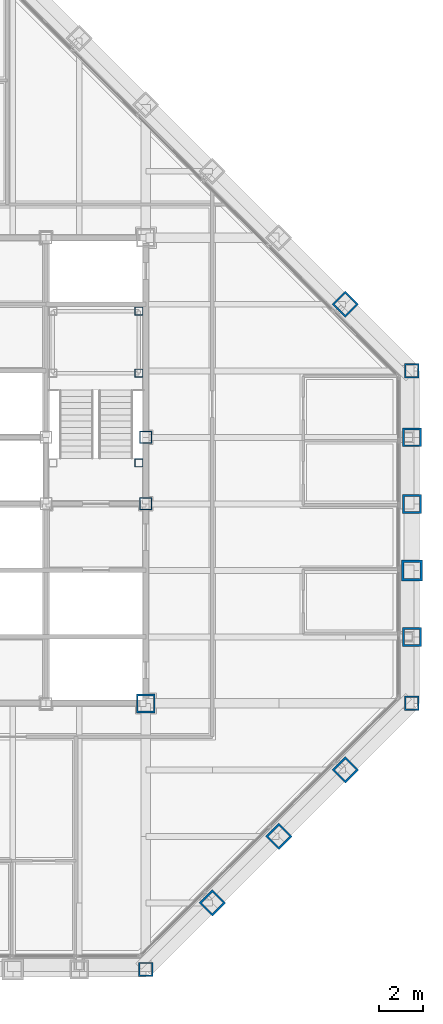
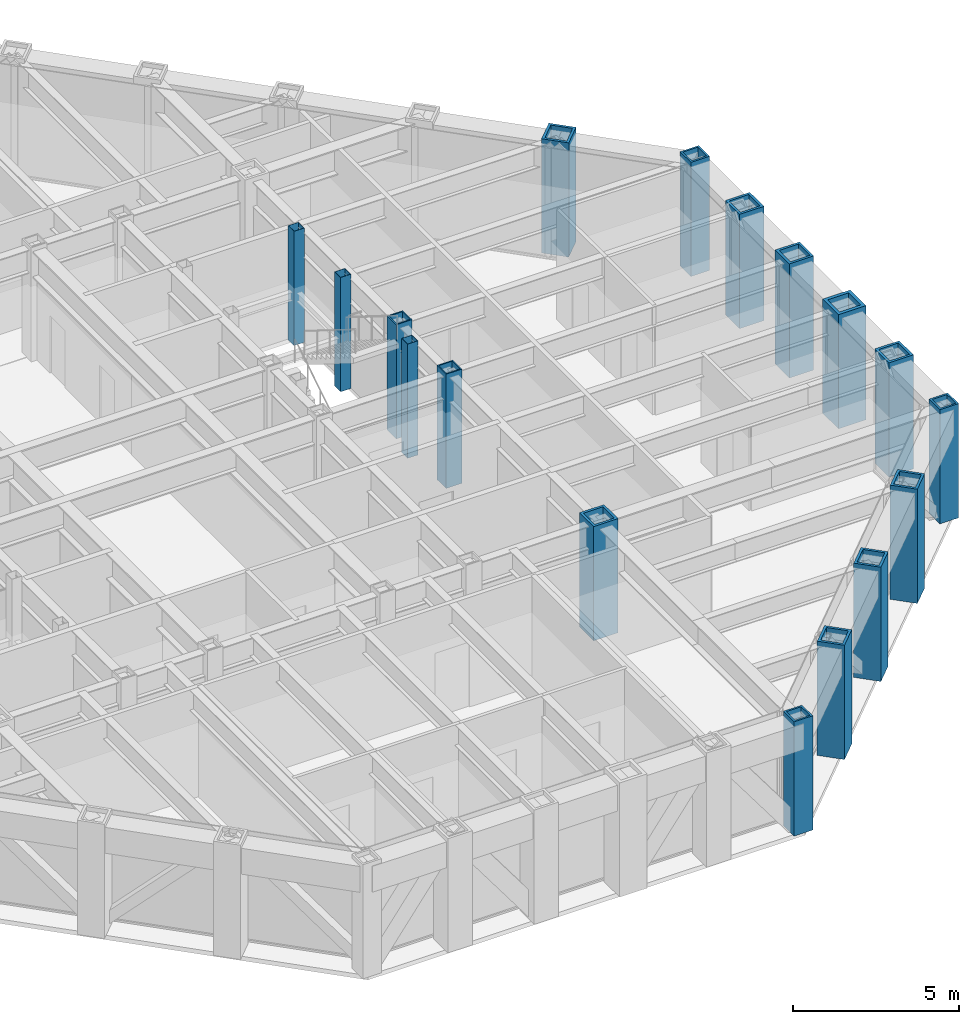
# One storey, part 3 of 16: 17 columns.
"""IFC4 building model written with IfcOpenShell, lengths in metres."""

from ifc_helpers import new_model, si_unit, direction, frame, origin, origin_2d, place, context, subcontext, project, spatial, hollow_rectangle, extrude, material, material_profile, profile_set, type_object, element, save


model = new_model("IFC4")

# Units and contexts
model_context = context("Model", 3, precision=1e-05, world=origin(), true_north=direction((0.0, 1.0)))
body_context = subcontext(model_context, "Body", "Model", "MODEL_VIEW")
ifc_project = project(units=[si_unit("LENGTHUNIT", "METRE"), si_unit("AREAUNIT", "SQUARE_METRE"), si_unit("VOLUMEUNIT", "CUBIC_METRE"), si_unit("PLANEANGLEUNIT", "RADIAN"), si_unit("MASSUNIT", "GRAM", prefix="KILO")], contexts=[model_context])

# Site, building, storey
site_placement = place(None, origin())
site = spatial("IfcSite", under=ifc_project, at=site_placement, CompositionType="ELEMENT")
building_placement = place(site_placement, origin())
building = spatial("IfcBuilding", under=site, at=building_placement, Name="Chuquiago Exchange Tower", CompositionType="ELEMENT")
storey_placement = place(building_placement, frame((0.0, 0.0, 247.5)))
storey = spatial("IfcBuildingStorey", under=building, at=storey_placement, Name="L55", CompositionType="ELEMENT", Elevation=247.5)

# Columns
ifc_material_1 = material(Name="Steel ASTM A572 Grade 50", Category="steel")
ifc_material_profile_1 = material_profile(ifc_material_1, hollow_rectangle(XDim=0.85009765625, YDim=0.85009765625, WallThickness=0.0849609375, at=origin_2d()), Name="BOX850X850X85")
ifc_profile_set_1 = profile_set([ifc_material_profile_1], Name="Steel ASTM A572 Grade 50")
column_type_1 = type_object("IfcColumnType", Name="C6 BOX850X850X85", PredefinedType="COLUMN", material=ifc_profile_set_1)
for number, where, z_axis, x_axis, name in (
    (1, (36.0, 3.0, 0.0), (0.0, 0.0, 1.0), (0.707106781187, -0.707106781187, 0.0), "COL-L55-36_3"),
    (2, (39.0, 6.0, 0.0), (0.0, 0.0, 1.0), (0.707106781187, -0.707106781187, 0.0), "COL-L55-39_6"),
    (3, (42.0, 9.0, 0.0), (0.0, 0.0, 1.0), (0.707106781187, -0.707106781187, 0.0), "COL-L55-42_9"),
    (4, (45.0, 15.0, 0.0), (0.0, 0.0, 1.0), (1.0, 0.0, 0.0), "COL-L55-45_15"),
    (5, (45.0, 21.0, 0.0), (0.0, 0.0, 1.0), (1.0, 0.0, 0.0), "COL-L55-45_21"),
    (6, (45.0, 24.0, 0.0), (0.0, 0.0, 1.0), (1.0, 0.0, 0.0), "COL-L55-45_24"),
    (7, (42.0, 30.0, 0.0), (0.0, 0.0, 1.0), (0.707106781187, 0.707106781187, 0.0), "COL-L55-42_30"),
):
    element("IfcColumn", number, at=place(storey_placement, frame(where, z_axis=z_axis, x_axis=x_axis)), inside=storey, type_object=column_type_1, Name=name, PredefinedType="COLUMN", context=body_context, shape_type="SweptSolid", body=[
        extrude(hollow_rectangle(XDim=0.85009765625, YDim=0.85009765625, WallThickness=0.0849609375, at=origin_2d()), origin(), (0.0, 0.0, 1.0), 4.199951171875),
    ])
ifc_material_2 = material(Name="Steel ASTM A572 Grade 50", Category="steel")
ifc_material_profile_2 = material_profile(ifc_material_2, hollow_rectangle(XDim=0.85009765625, YDim=0.85009765625, WallThickness=0.0849609375, at=origin_2d()), Name="BOX850X850X85")
ifc_profile_set_2 = profile_set([ifc_material_profile_2], Name="Steel ASTM A572 Grade 50")
column_type_2 = type_object("IfcColumnType", Name="CC6 BOX850X850X85", PredefinedType="COLUMN", material=ifc_profile_set_2)
column_1_placement = place(storey_placement, frame((33.0, 12.0, 0.0), z_axis=(0.0, 0.0, 1.0), x_axis=(1.0, 0.0, 0.0)))
element("IfcColumn", 8, at=column_1_placement, inside=storey, type_object=column_type_2, Name="CCOL-L55-33_12", PredefinedType="COLUMN", context=body_context, shape_type="SweptSolid", body=[
    extrude(hollow_rectangle(XDim=0.85009765625, YDim=0.85009765625, WallThickness=0.0849609375, at=origin_2d()), origin(), (0.0, 0.0, 1.0), 4.199951171875),
])
ifc_material_3 = material(Name="Steel ASTM A572 Grade 50", Category="steel")
ifc_material_profile_3 = material_profile(ifc_material_3, hollow_rectangle(XDim=0.550048828125, YDim=0.550048828125, WallThickness=0.044921875, at=origin_2d()), Name="BOX550X550X45")
ifc_profile_set_3 = profile_set([ifc_material_profile_3], Name="Steel ASTM A572 Grade 50")
column_type_3 = type_object("IfcColumnType", Name="CC8 BOX550X550X45", PredefinedType="COLUMN", material=ifc_profile_set_3)
for number, where, z_axis, x_axis, name in (
    (9, (33.0, 21.0, 0.0), (0.0, 0.0, 1.0), (1.0, 0.0, 0.0), "CCOL-L55-33_21"),
    (10, (33.0, 24.0, 0.0), (0.0, 0.0, 1.0), (1.0, 0.0, 0.0), "CCOL-L55-33_24"),
):
    element("IfcColumn", number, at=place(storey_placement, frame(where, z_axis=z_axis, x_axis=x_axis)), inside=storey, type_object=column_type_3, Name=name, PredefinedType="COLUMN", context=body_context, shape_type="SweptSolid", body=[
        extrude(hollow_rectangle(XDim=0.550048828125, YDim=0.550048828125, WallThickness=0.044921875, at=origin_2d()), origin(), (0.0, 0.0, 1.0), 4.199951171875),
    ])
ifc_material_4 = material(Name="Steel ASTM A572 Grade 50", Category="steel")
ifc_material_profile_4 = material_profile(ifc_material_4, hollow_rectangle(XDim=0.64990234375, YDim=0.64990234375, WallThickness=0.06494140625, at=origin_2d()), Name="BOX650X650X65")
ifc_profile_set_4 = profile_set([ifc_material_profile_4], Name="Steel ASTM A572 Grade 50")
column_type_4 = type_object("IfcColumnType", Name="CN2 BOX650X650X65", PredefinedType="COLUMN", material=ifc_profile_set_4)
for number, where, z_axis, x_axis, name in (
    (11, (33.0, 0.0, 0.0), (0.0, 0.0, 1.0), (0.0, -1.0, 0.0), "COL-L55-33_0"),
    (12, (45.0, 12.0, 0.0), (0.0, 0.0, 1.0), (1.0, 0.0, 0.0), "COL-L55-45_12"),
    (13, (45.0, 27.0, 0.0), (0.0, 0.0, 1.0), (1.0, 0.0, 0.0), "COL-L55-45_27"),
):
    element("IfcColumn", number, at=place(storey_placement, frame(where, z_axis=z_axis, x_axis=x_axis)), inside=storey, type_object=column_type_4, Name=name, PredefinedType="COLUMN", context=body_context, shape_type="SweptSolid", body=[
        extrude(hollow_rectangle(XDim=0.64990234375, YDim=0.64990234375, WallThickness=0.06494140625, at=origin_2d()), origin(), (0.0, 0.0, 1.0), 4.199951171875),
    ])
ifc_material_5 = material(Name="Steel ASTM A572 Grade 42", Category="steel")
ifc_material_profile_5 = material_profile(ifc_material_5, hollow_rectangle(XDim=0.949951171875, YDim=0.949951171875, WallThickness=0.110107421875, at=origin_2d()), Name="BOX950X950X110")
ifc_profile_set_5 = profile_set([ifc_material_profile_5], Name="Steel ASTM A572 Grade 42")
column_type_5 = type_object("IfcColumnType", Name="CT1 BOX950X950X110", PredefinedType="COLUMN", material=ifc_profile_set_5)
column_2_placement = place(storey_placement, frame((45.0, 18.0, 0.0), z_axis=(0.0, 0.0, 1.0), x_axis=(1.0, 0.0, 0.0)))
element("IfcColumn", 14, at=column_2_placement, inside=storey, type_object=column_type_5, Name="COL-L55-45_18", PredefinedType="COLUMN", context=body_context, shape_type="SweptSolid", body=[
    extrude(hollow_rectangle(XDim=0.949951171875, YDim=0.949951171875, WallThickness=0.110107421875, at=origin_2d()), origin(), (0.0, 0.0, 1.0), 4.199951171875),
])
ifc_material_6 = material(Name="Steel ASTM A500 Grade C", Category="steel")
ifc_material_profile_6 = material_profile(ifc_material_6, hollow_rectangle(XDim=0.355712890625, YDim=0.355712890625, WallThickness=0.0087890625, at=origin_2d()), Name="HSS14X14X3/8")
ifc_profile_set_6 = profile_set([ifc_material_profile_6], Name="Steel ASTM A500 Grade C")
column_type_6 = type_object("IfcColumnType", Name="PT1 HSS14X14X3/8", PredefinedType="COLUMN", material=ifc_profile_set_6)
for number, where, z_axis, x_axis, name in (
    (15, (32.68994140625, 29.68994140625, 0.0), (0.0, 0.0, 1.0), (1.0, 0.0, 0.0), "Stair ST2 L55 landing post"),
    (16, (32.68994140625, 26.889892578125, 0.0), (0.0, 0.0, 1.0), (1.0, 0.0, 0.0), "Stair ST2 L55 landing post"),
    (17, (32.68994140625, 22.85009765625, 0.0), (0.0, 0.0, 1.0), (1.0, 0.0, 0.0), "Stair ST2 L55 landing post"),
):
    element("IfcColumn", number, at=place(storey_placement, frame(where, z_axis=z_axis, x_axis=x_axis)), inside=storey, type_object=column_type_6, Name=name, PredefinedType="COLUMN", context=body_context, shape_type="SweptSolid", body=[
        extrude(hollow_rectangle(XDim=0.355712890625, YDim=0.355712890625, WallThickness=0.0087890625, at=origin_2d()), origin(), (0.0, 0.0, 1.0), 4.199951171875),
    ])

save(model, "model.ifc")
